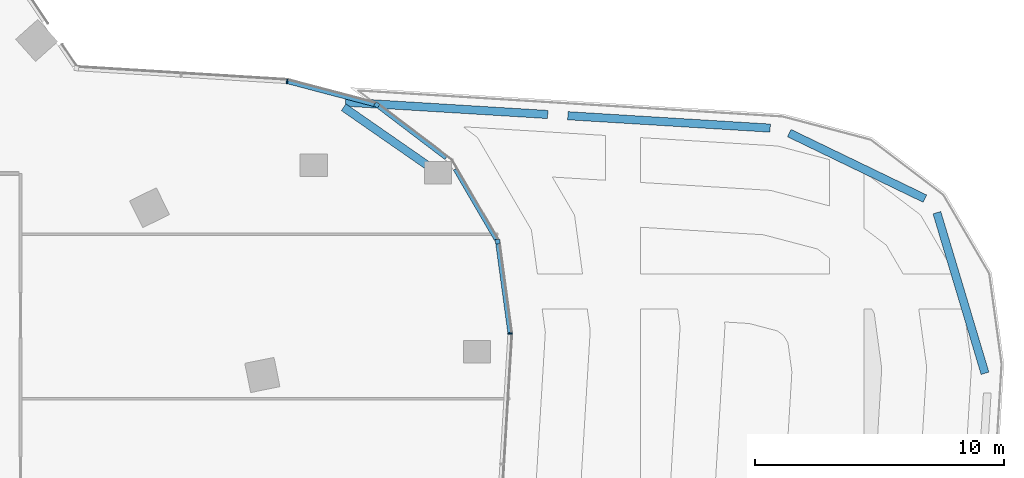
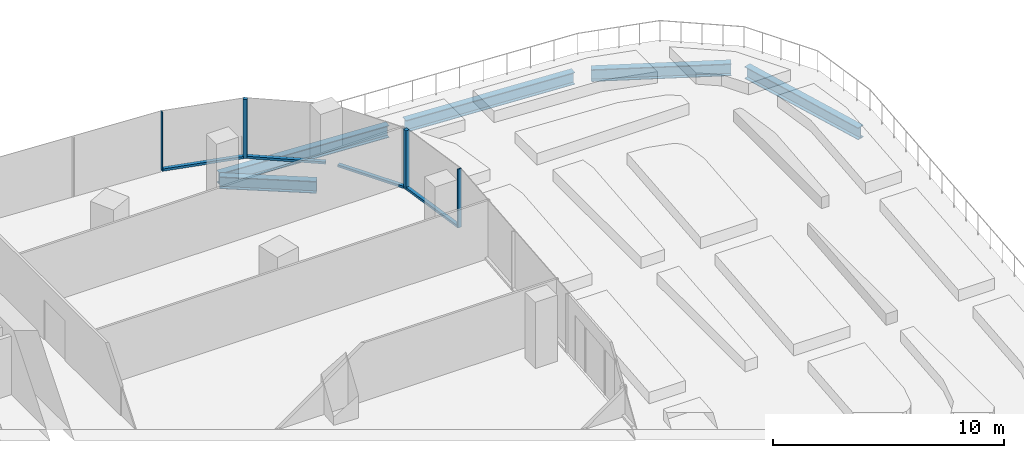
# One storey, part 13 of 26: 8 members, 5 beams, 5 elements without a shape of their own.
"""IFC4 building model written with IfcOpenShell, lengths in metres."""

from ifc_helpers import new_model, si_unit, direction, frame, origin, origin_2d, place, context, subcontext, project, spatial, rectangle, i_section, extrude, material, material_profile, profile_set, type_object, element, aggregate, save


model = new_model("IFC4")

# Units and contexts
model_context = context("Model", 3, precision=1e-05, world=origin(), true_north=direction((0.0, 1.0)))
body_context = subcontext(model_context, "Body", "Model", "MODEL_VIEW")
ifc_project = project(units=[si_unit("LENGTHUNIT", "METRE"), si_unit("AREAUNIT", "SQUARE_METRE"), si_unit("VOLUMEUNIT", "CUBIC_METRE"), si_unit("PLANEANGLEUNIT", "RADIAN"), si_unit("MASSUNIT", "GRAM", prefix="KILO")], contexts=[model_context])

# Site, building, storey
site_placement = place(None, origin())
site = spatial("IfcSite", under=ifc_project, at=site_placement, CompositionType="ELEMENT")
building_placement = place(site_placement, origin())
building = spatial("IfcBuilding", under=site, at=building_placement, Name="Orlundy Tower", CompositionType="ELEMENT")
storey_placement = place(building_placement, frame((0.0, 0.0, 156.10009765625)))
storey = spatial("IfcBuildingStorey", under=building, at=storey_placement, Name="L40", CompositionType="ELEMENT", Elevation=156.10009765625)

# Curtain wall, member
ifc_material_1 = material(Name="Aluminium bronze anodised", Category="aluminium")
curtain_wall_type = type_object("IfcCurtainWallType", Name="CW1 wall", PredefinedType="NOTDEFINED", material=ifc_material_1)
curtain_wall_1_placement = place(storey_placement, origin())
curtain_wall_1 = element("IfcCurtainWall", 1, at=curtain_wall_1_placement, inside=storey, type_object=curtain_wall_type, Name="CW1 run 08", PredefinedType="NOTDEFINED")
ifc_material_2 = material(Name="Aluminium bronze anodised", Category="aluminium")
ifc_material_profile_1 = material_profile(ifc_material_2, rectangle(XDim=0.179931640625, YDim=0.179931640625, at=origin_2d()), Name="CW1 corner post 180x180")
ifc_profile_set_1 = profile_set([ifc_material_profile_1], Name="Aluminium bronze anodised")
member_type_1 = type_object("IfcMemberType", Name="CW1 corner post 180x180", PredefinedType="MULLION", material=ifc_profile_set_1)
member_1_placement = place(storey_placement, frame((35.788330078125, 17.20849609375, 0.0), z_axis=(0.0, 0.0, 1.0), x_axis=(0.605254299097, 0.796032181149, 0.0)))
member_1 = element("IfcMember", 2, at=member_1_placement, type_object=member_type_1, Name="CW1 mullion 29", PredefinedType="MULLION", context=body_context, shape_type="SweptSolid", body=[
    extrude(rectangle(XDim=0.179931640625, YDim=0.179931640625, at=origin_2d()), origin(), (0.0, 0.0, 1.0), 3.099853515625),
])

curtain_wall_2_placement = place(storey_placement, origin())
curtain_wall_2 = element("IfcCurtainWall", 3, at=curtain_wall_2_placement, inside=storey, type_object=curtain_wall_type, Name="CW1 run 010", PredefinedType="NOTDEFINED")
member_2_placement = place(storey_placement, frame((40.65283203125, 11.7109375, 0.0), z_axis=(0.0, 0.0, 1.0), x_axis=(0.990897352983, 0.134619596829, 0.0)))
member_2 = element("IfcMember", 4, at=member_2_placement, type_object=member_type_1, Name="CW1 mullion 31", PredefinedType="MULLION", context=body_context, shape_type="SweptSolid", body=[
    extrude(rectangle(XDim=0.179931640625, YDim=0.179931640625, at=origin_2d()), origin(), (0.0, 0.0, 1.0), 3.099853515625),
])

curtain_wall_3_placement = place(storey_placement, origin())
curtain_wall_3 = element("IfcCurtainWall", 5, at=curtain_wall_3_placement, inside=storey, type_object=curtain_wall_type, Name="CW1 run 07", PredefinedType="NOTDEFINED")
ifc_material_3 = material(Name="Aluminium bronze anodised", Category="aluminium")
ifc_material_profile_2 = material_profile(ifc_material_3, rectangle(XDim=0.179931640625, YDim=0.050048828125, at=origin_2d()), Name="CW1 mullion 50x180")
ifc_profile_set_2 = profile_set([ifc_material_profile_2], Name="Aluminium bronze anodised")
member_type_2 = type_object("IfcMemberType", Name="CW1 mullion 50x180", PredefinedType="MULLION", material=ifc_profile_set_2)
member_3_placement = place(storey_placement, frame((32.17724609375, 18.1591796875, 0.0), z_axis=(0.0, 0.0, 1.0), x_axis=(0.158616021358, 0.987340345458, 0.0)))
member_3 = element("IfcMember", 6, at=member_3_placement, type_object=member_type_2, Name="CW1 mullion 28", PredefinedType="MULLION", context=body_context, shape_type="SweptSolid", body=[
    extrude(rectangle(XDim=0.179931640625, YDim=0.050048828125, at=origin_2d()), origin(), (0.0, 0.0, 1.0), 3.099853515625),
])

curtain_wall_4_placement = place(storey_placement, origin())
curtain_wall_4 = element("IfcCurtainWall", 7, at=curtain_wall_4_placement, inside=storey, type_object=curtain_wall_type, Name="CW1 run 011", PredefinedType="NOTDEFINED")
member_4_placement = place(storey_placement, frame((41.1552734375, 8.01123046875, 0.0), z_axis=(0.0, 0.0, 1.0), x_axis=(0.999316605295, 0.036963798261, 0.0)))
member_4 = element("IfcMember", 8, at=member_4_placement, type_object=member_type_2, Name="CW1 mullion 32", PredefinedType="MULLION", context=body_context, shape_type="SweptSolid", body=[
    extrude(rectangle(XDim=0.179931640625, YDim=0.050048828125, at=origin_2d()), origin(), (0.0, 0.0, 1.0), 3.099853515625),
])
aggregate(curtain_wall_4, [member_4])

# Member
ifc_material_4 = material(Name="Aluminium bronze anodised", Category="aluminium")
ifc_material_profile_3 = material_profile(ifc_material_4, rectangle(XDim=0.179931640625, YDim=0.1201171875, at=origin_2d()), Name="CW1 transom 180x120")
ifc_profile_set_3 = profile_set([ifc_material_profile_3], Name="Aluminium bronze anodised")
member_type_3 = type_object("IfcMemberType", Name="CW1 transom 180x120", PredefinedType="USERDEFINED", material=ifc_profile_set_3)
member_5_placement = place(storey_placement, frame((32.20166015625, 18.15283203125, 0.059814453125), z_axis=(0.967049137848, -0.254589797493, 0.0), x_axis=(0.254589797493, 0.967049137848, 0.0)))
member_5 = element("IfcMember", 9, at=member_5_placement, type_object=member_type_3, Name="CW1 transom", ObjectType="TRANSOM", PredefinedType="USERDEFINED", context=body_context, shape_type="SweptSolid", body=[
    extrude(rectangle(XDim=0.179931640625, YDim=0.1201171875, at=origin_2d()), origin(), (0.0, 0.0, 1.0), 3.611328125),
])

aggregate(curtain_wall_3, [member_3, member_5])

member_6_placement = place(storey_placement, frame((35.85986328125, 17.154052734375, 0.059814453125), z_axis=(0.796023176339, -0.605266142066, 0.0), x_axis=(0.605266142066, 0.796023176339, 0.0)))
member_6 = element("IfcMember", 10, at=member_6_placement, type_object=member_type_3, Name="CW1 transom", ObjectType="TRANSOM", PredefinedType="USERDEFINED", context=body_context, shape_type="SweptSolid", body=[
    extrude(rectangle(XDim=0.179931640625, YDim=0.1201171875, at=origin_2d()), origin(), (0.0, 0.0, 1.0), 3.41845703125),
])

aggregate(curtain_wall_1, [member_1, member_6])

# Curtain wall, member
curtain_wall_5_placement = place(storey_placement, origin())
curtain_wall_5 = element("IfcCurtainWall", 11, at=curtain_wall_5_placement, inside=storey, type_object=curtain_wall_type, Name="CW1 run 09", PredefinedType="NOTDEFINED")
member_7_placement = place(storey_placement, frame((38.948974609375, 14.63134765625, 0.059814453125), z_axis=(0.503917250301, -0.863751934788, 0.0), x_axis=(0.863751934788, 0.503917250301, 0.0)))
member_7 = element("IfcMember", 12, at=member_7_placement, type_object=member_type_3, Name="CW1 transom", ObjectType="TRANSOM", PredefinedType="USERDEFINED", context=body_context, shape_type="SweptSolid", body=[
    extrude(rectangle(XDim=0.179931640625, YDim=0.1201171875, at=origin_2d()), origin(), (0.0, 0.0, 1.0), 3.283935546875),
])
aggregate(curtain_wall_5, [member_7])

# Member
member_8_placement = place(storey_placement, frame((40.664794921875, 11.62158203125, 0.059814453125), z_axis=(0.134673598661, -0.990890014998, 0.0), x_axis=(0.990890014998, 0.134673598661, 0.0)))
member_8 = element("IfcMember", 13, at=member_8_placement, type_object=member_type_3, Name="CW1 transom", ObjectType="TRANSOM", PredefinedType="USERDEFINED", context=body_context, shape_type="SweptSolid", body=[
    extrude(rectangle(XDim=0.179931640625, YDim=0.1201171875, at=origin_2d()), origin(), (0.0, 0.0, 1.0), 3.618408203125),
])

aggregate(curtain_wall_2, [member_2, member_8])

# Beams
ifc_material_5 = material(Name="Steel ASTM A992 Gr 50", Category="steel")
ifc_material_profile_4 = material_profile(ifc_material_5, i_section(OverallWidth=0.3291015625, OverallDepth=0.635009765625, WebThickness=0.017822265625, FlangeThickness=0.031005859375, at=origin_2d()), Name="W24X162")
ifc_profile_set_4 = profile_set([ifc_material_profile_4], Name="Steel ASTM A992 Gr 50")
beam_type = type_object("IfcBeamType", Name="TERRACE EDGE BEAM beam W24X162", PredefinedType="BEAM", material=ifc_profile_set_4)
beam_1_placement = place(storey_placement, frame((37.916259765625, 14.7158203125, -0.717529296875), z_axis=(-0.821452922111, 0.57027633368, 0.0), x_axis=(-0.57027633368, -0.821452922111, 0.0)))
element("IfcBeam", 14, at=beam_1_placement, inside=storey, type_object=beam_type, Name="Terrace edge beam L40-1-03", PredefinedType="BEAM", context=body_context, shape_type="SweptSolid", body=[
    extrude(i_section(OverallWidth=0.3291015625, OverallDepth=0.635009765625, WebThickness=0.017822265625, FlangeThickness=0.031005859375, at=origin_2d()), origin(), (0.0, 0.0, 1.0), 4.212646484375),
])
for number, where, z_axis, x_axis, name in (
    (15, (34.527099609375, 17.32421875, -0.717529296875), (0.99813780846, -0.060999305915, 0.0), (0.060999305915, 0.99813780846, 0.0), "Terrace edge beam L40-1-04"),
    (16, (43.477294921875, 16.777099609375, -0.717529296875), (0.998132337377, -0.061088763961, 0.0), (0.061088763961, 0.998132337377, 0.0), "Terrace edge beam L40-1-05"),
):
    element("IfcBeam", number, at=place(storey_placement, frame(where, z_axis=z_axis, x_axis=x_axis)), inside=storey, type_object=beam_type, Name=name, PredefinedType="BEAM", context=body_context, shape_type="SweptSolid", body=[
        extrude(i_section(OverallWidth=0.3291015625, OverallDepth=0.635009765625, WebThickness=0.017822265625, FlangeThickness=0.031005859375, at=origin_2d()), origin(), (0.0, 0.0, 1.0), 8.15673828125),
    ])
beam_2_placement = place(storey_placement, frame((52.3876953125, 16.077880859375, -0.717529296875), z_axis=(0.900424399221, -0.435012530035, 0.0), x_axis=(0.435012530035, 0.900424399221, 0.0)))
element("IfcBeam", 17, at=beam_2_placement, inside=storey, type_object=beam_type, Name="Terrace edge beam L40-1-06", PredefinedType="BEAM", context=body_context, shape_type="SweptSolid", body=[
    extrude(i_section(OverallWidth=0.3291015625, OverallDepth=0.635009765625, WebThickness=0.017822265625, FlangeThickness=0.031005859375, at=origin_2d()), origin(), (0.0, 0.0, 1.0), 6.0634765625),
])
beam_3_placement = place(storey_placement, frame((58.328125, 12.8759765625, -0.717529296875), z_axis=(0.286929545607, -0.957951687643, 0.0), x_axis=(0.957951687643, 0.286929545607, 0.0)))
element("IfcBeam", 18, at=beam_3_placement, inside=storey, type_object=beam_type, Name="Terrace edge beam L40-1-07", PredefinedType="BEAM", context=body_context, shape_type="SweptSolid", body=[
    extrude(i_section(OverallWidth=0.3291015625, OverallDepth=0.635009765625, WebThickness=0.017822265625, FlangeThickness=0.031005859375, at=origin_2d()), origin(), (0.0, 0.0, 1.0), 6.74658203125),
])

save(model, "model.ifc")
